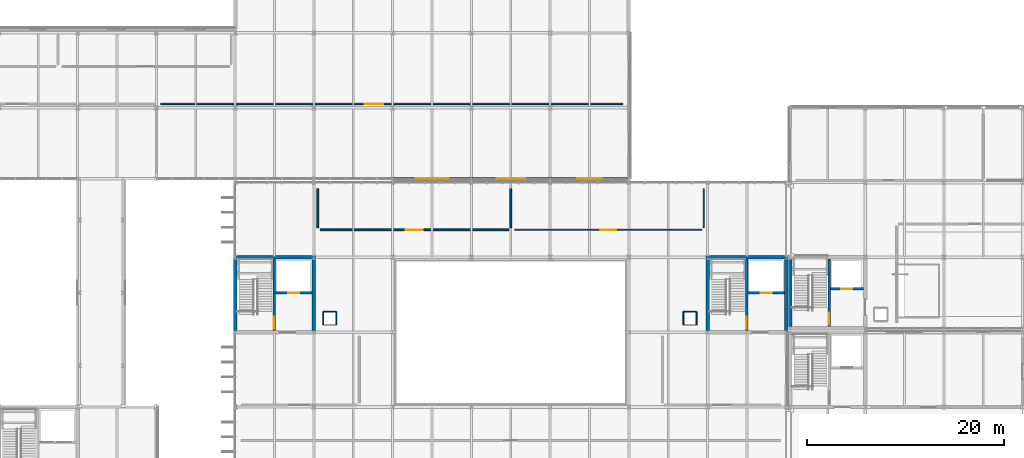
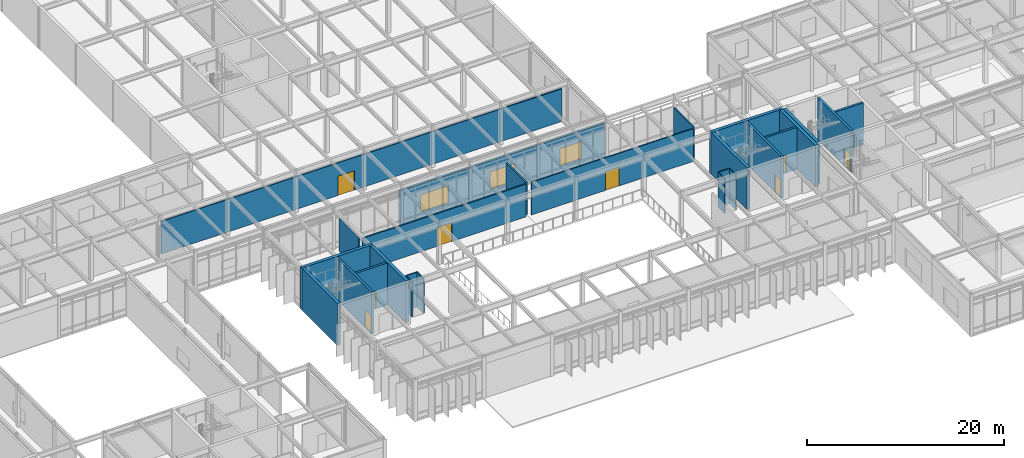
# One storey, part 74 of 94: 28 walls, 9 doors, 3 windows, 12 openings.
"""IFC4 building model written with IfcOpenShell, lengths in metres."""

from ifc_helpers import new_model, si_unit, direction, frame, frame_2d, origin, place, context, subcontext, project, spatial, rectangle, extrude, material, layer, layer_set, type_object, element, fill, save


model = new_model("IFC4")

# Units and contexts
model_context = context("Model", 3, precision=1e-05, world=origin(), true_north=direction((0.0, 1.0)))
body_context = subcontext(model_context, "Body", "Model", "MODEL_VIEW")
ifc_project = project(units=[si_unit("LENGTHUNIT", "METRE"), si_unit("AREAUNIT", "SQUARE_METRE"), si_unit("VOLUMEUNIT", "CUBIC_METRE"), si_unit("PLANEANGLEUNIT", "RADIAN"), si_unit("MASSUNIT", "GRAM", prefix="KILO")], contexts=[model_context])

# Site, building, storey
site_placement = place(None, origin())
site = spatial("IfcSite", under=ifc_project, at=site_placement, CompositionType="ELEMENT")
building_placement = place(site_placement, origin())
building = spatial("IfcBuilding", under=site, at=building_placement, Name="Zulena Civic Courthouse", CompositionType="ELEMENT")
storey_placement = place(building_placement, frame((0.0, 0.0, 5.39990234375)))
storey = spatial("IfcBuildingStorey", under=building, at=storey_placement, Name="L01", CompositionType="ELEMENT", Elevation=5.39990234375)

# Wall, opening, door
ifc_material_1 = material(Name="Concrete C40/50", Category="concrete")
ifc_layer_1 = layer(ifc_material_1, 0.25)
ifc_layer_set_1 = layer_set([ifc_layer_1], Name="Concrete C40/50")
wall_type_1 = type_object("IfcWallType", Name="CoreShearWall_RC250", PredefinedType="SHEAR", material=ifc_layer_set_1)
wall_1_placement = place(storey_placement, frame((128.35009765625, 30.97509765625, 0.0), z_axis=(0.0, 0.0, 1.0), x_axis=(0.0, 1.0, 0.0)))
wall_1 = element("IfcWall", 1, at=wall_1_placement, inside=storey, type_object=wall_type_1, Name="cwall:K3A:L01:DIV", PredefinedType="SHEAR", context=body_context, shape_type="SweptSolid", body=[
    extrude(rectangle(XDim=6.849853515625, YDim=0.25, at=frame_2d((3.4248046875, 0.0))), origin(), (0.0, 0.0, 1.0), 5.190185546875),
])
opening_1_placement = place(wall_1_placement, frame((0.179931640625, 0.0, 0.0)))
opening_1 = element("IfcOpeningElement", 2, at=opening_1_placement, cuts=wall_1, Name="Opening ID07", PredefinedType="OPENING", context=body_context, shape_type="SweptSolid", body=[
    extrude(rectangle(XDim=1.199951171875, YDim=2.199951171875, at=frame_2d((0.60009765625, 1.10009765625))), frame((0.0, 0.135009765625, 0.0), z_axis=(0.0, -1.0, 0.0), x_axis=(1.0, 0.0, 0.0)), (0.0, 0.0, 1.0), 0.27001953125),
])
ifc_material_2 = material(Name="Fire-rated galvanised steel ASTM A653 Grade 50", Category="steel")
door_type_1 = type_object("IfcDoorType", Name="IntDoor_Stair_1200x2200", OperationType="NOTDEFINED", PredefinedType="DOOR", material=ifc_material_2)
door_1_placement = place(opening_1_placement, origin())
door_1 = element("IfcDoor", 3, at=door_1_placement, inside=storey, type_object=door_type_1, Name="door:stair:K3A:L01", OperationType="SINGLE_SWING_RIGHT", OverallHeight=2.199951171875, OverallWidth=1.199951171875, PredefinedType="DOOR", context=body_context, shape_type="SweptSolid", body=[
    extrude(rectangle(XDim=1.199951171875, YDim=2.199951171875, at=frame_2d((0.60009765625, 1.10009765625))), frame((0.0, 0.02490234375, 0.0), z_axis=(0.0, -1.0, 0.0), x_axis=(1.0, 0.0, 0.0)), (0.0, 0.0, 1.0), 0.050048828125),
])
fill(opening_1, door_1)

wall_2_placement = place(storey_placement, frame((128.47509765625, 34.800048828125, 0.0), z_axis=(0.0, 0.0, 1.0), x_axis=(1.0, 0.0, 0.0)))
wall_2 = element("IfcWall", 4, at=wall_2_placement, inside=storey, type_object=wall_type_1, Name="cwall:K3A:L01:SHF", PredefinedType="SHEAR", context=body_context, shape_type="SweptSolid", body=[
    extrude(rectangle(XDim=3.349853515625, YDim=0.25, at=frame_2d((1.6748046875, 0.0))), origin(), (0.0, 0.0, 1.0), 5.190185546875),
])
opening_2_placement = place(wall_2_placement, frame((1.1201171875, 0.0, 0.0)))
opening_2 = element("IfcOpeningElement", 5, at=opening_2_placement, cuts=wall_2, Name="Opening LD02", PredefinedType="OPENING", context=body_context, shape_type="SweptSolid", body=[
    extrude(rectangle(XDim=1.10009765625, YDim=2.199951171875, at=frame_2d((0.550048828125, 1.10009765625))), frame((0.0, 0.135009765625, 0.0), z_axis=(0.0, -1.0, 0.0), x_axis=(1.0, 0.0, 0.0)), (0.0, 0.0, 1.0), 0.27001953125),
])
door_type_2 = type_object("IfcDoorType", Name="LiftLandingDoor_Pass_1100x2200", OperationType="SLIDING_TO_LEFT", PredefinedType="DOOR", material=ifc_material_2)
door_2_placement = place(opening_2_placement, origin())
door_2 = element("IfcDoor", 6, at=door_2_placement, inside=storey, type_object=door_type_2, Name="door:ld:PL-02:L01", OperationType="SLIDING_TO_LEFT", OverallHeight=2.199951171875, OverallWidth=1.10009765625, PredefinedType="DOOR", context=body_context, shape_type="SweptSolid", body=[
    extrude(rectangle(XDim=1.10009765625, YDim=2.199951171875, at=frame_2d((0.550048828125, 1.10009765625))), frame((0.0, 0.02490234375, 0.0), z_axis=(0.0, -1.0, 0.0), x_axis=(1.0, 0.0, 0.0)), (0.0, 0.0, 1.0), 0.050048828125),
])
fill(opening_2, door_2)

wall_3_placement = place(storey_placement, frame((71.949951171875, 30.574951171875, 0.0), z_axis=(0.0, 0.0, 1.0), x_axis=(0.0, 1.0, 0.0)))
wall_3 = element("IfcWall", 7, at=wall_3_placement, inside=storey, type_object=wall_type_1, Name="cwall:K4A:L01:DIV", PredefinedType="SHEAR", context=body_context, shape_type="SweptSolid", body=[
    extrude(rectangle(XDim=7.25, YDim=0.25, at=frame_2d((3.625, 0.0))), origin(), (0.0, 0.0, 1.0), 5.190185546875),
])
opening_3_placement = place(wall_3_placement, frame((0.179931640625, 0.0, 0.0)))
opening_3 = element("IfcOpeningElement", 8, at=opening_3_placement, cuts=wall_3, Name="Opening ID07", PredefinedType="OPENING", context=body_context, shape_type="SweptSolid", body=[
    extrude(rectangle(XDim=1.199951171875, YDim=2.199951171875, at=frame_2d((0.60009765625, 1.10009765625))), frame((0.0, 0.135009765625, 0.0), z_axis=(0.0, -1.0, 0.0), x_axis=(1.0, 0.0, 0.0)), (0.0, 0.0, 1.0), 0.27001953125),
])
door_3_placement = place(opening_3_placement, origin())
door_3 = element("IfcDoor", 9, at=door_3_placement, inside=storey, type_object=door_type_1, Name="door:stair:K4A:L01", OperationType="SINGLE_SWING_RIGHT", OverallHeight=2.199951171875, OverallWidth=1.199951171875, PredefinedType="DOOR", context=body_context, shape_type="SweptSolid", body=[
    extrude(rectangle(XDim=1.199951171875, YDim=2.199951171875, at=frame_2d((0.60009765625, 1.10009765625))), frame((0.0, 0.02490234375, 0.0), z_axis=(0.0, -1.0, 0.0), x_axis=(1.0, 0.0, 0.0)), (0.0, 0.0, 1.0), 0.050048828125),
])
fill(opening_3, door_3)

wall_4_placement = place(storey_placement, frame((72.074951171875, 34.39990234375, 0.0), z_axis=(0.0, 0.0, 1.0), x_axis=(1.0, 0.0, 0.0)))
wall_4 = element("IfcWall", 10, at=wall_4_placement, inside=storey, type_object=wall_type_1, Name="cwall:K4A:L01:SHF", PredefinedType="SHEAR", context=body_context, shape_type="SweptSolid", body=[
    extrude(rectangle(XDim=3.75, YDim=0.25, at=frame_2d((1.875, 0.0))), origin(), (0.0, 0.0, 1.0), 5.190185546875),
])
opening_4_placement = place(wall_4_placement, frame((1.320068359375, 0.0, 0.0)))
opening_4 = element("IfcOpeningElement", 11, at=opening_4_placement, cuts=wall_4, Name="Opening LD02", PredefinedType="OPENING", context=body_context, shape_type="SweptSolid", body=[
    extrude(rectangle(XDim=1.10009765625, YDim=2.199951171875, at=frame_2d((0.550048828125, 1.10009765625))), frame((0.0, 0.135009765625, 0.0), z_axis=(0.0, -1.0, 0.0), x_axis=(1.0, 0.0, 0.0)), (0.0, 0.0, 1.0), 0.27001953125),
])
door_4_placement = place(opening_4_placement, origin())
door_4 = element("IfcDoor", 12, at=door_4_placement, inside=storey, type_object=door_type_2, Name="door:ld:PL-03:L01", OperationType="SLIDING_TO_LEFT", OverallHeight=2.199951171875, OverallWidth=1.10009765625, PredefinedType="DOOR", context=body_context, shape_type="SweptSolid", body=[
    extrude(rectangle(XDim=1.10009765625, YDim=2.199951171875, at=frame_2d((0.550048828125, 1.10009765625))), frame((0.0, 0.02490234375, 0.0), z_axis=(0.0, -1.0, 0.0), x_axis=(1.0, 0.0, 0.0)), (0.0, 0.0, 1.0), 0.050048828125),
])
fill(opening_4, door_4)

wall_5_placement = place(storey_placement, frame((119.949951171875, 30.574951171875, 0.0), z_axis=(0.0, 0.0, 1.0), x_axis=(0.0, 1.0, 0.0)))
wall_5 = element("IfcWall", 13, at=wall_5_placement, inside=storey, type_object=wall_type_1, Name="cwall:K4B:L01:DIV", PredefinedType="SHEAR", context=body_context, shape_type="SweptSolid", body=[
    extrude(rectangle(XDim=7.25, YDim=0.25, at=frame_2d((3.625, 0.0))), origin(), (0.0, 0.0, 1.0), 5.190185546875),
])
opening_5_placement = place(wall_5_placement, frame((0.179931640625, 0.0, 0.0)))
opening_5 = element("IfcOpeningElement", 14, at=opening_5_placement, cuts=wall_5, Name="Opening ID07", PredefinedType="OPENING", context=body_context, shape_type="SweptSolid", body=[
    extrude(rectangle(XDim=1.199951171875, YDim=2.199951171875, at=frame_2d((0.60009765625, 1.10009765625))), frame((0.0, 0.135009765625, 0.0), z_axis=(0.0, -1.0, 0.0), x_axis=(1.0, 0.0, 0.0)), (0.0, 0.0, 1.0), 0.27001953125),
])
door_5_placement = place(opening_5_placement, origin())
door_5 = element("IfcDoor", 15, at=door_5_placement, inside=storey, type_object=door_type_1, Name="door:stair:K4B:L01", OperationType="SINGLE_SWING_LEFT", OverallHeight=2.199951171875, OverallWidth=1.199951171875, PredefinedType="DOOR", context=body_context, shape_type="SweptSolid", body=[
    extrude(rectangle(XDim=1.199951171875, YDim=2.199951171875, at=frame_2d((0.60009765625, 1.10009765625))), frame((0.0, 0.02490234375, 0.0), z_axis=(0.0, -1.0, 0.0), x_axis=(1.0, 0.0, 0.0)), (0.0, 0.0, 1.0), 0.050048828125),
])
fill(opening_5, door_5)

wall_6_placement = place(storey_placement, frame((120.074951171875, 34.39990234375, 0.0), z_axis=(0.0, 0.0, 1.0), x_axis=(1.0, 0.0, 0.0)))
wall_6 = element("IfcWall", 16, at=wall_6_placement, inside=storey, type_object=wall_type_1, Name="cwall:K4B:L01:SHF", PredefinedType="SHEAR", context=body_context, shape_type="SweptSolid", body=[
    extrude(rectangle(XDim=3.75, YDim=0.25, at=frame_2d((1.875, 0.0))), origin(), (0.0, 0.0, 1.0), 5.190185546875),
])
opening_6_placement = place(wall_6_placement, frame((1.320068359375, 0.0, 0.0)))
opening_6 = element("IfcOpeningElement", 17, at=opening_6_placement, cuts=wall_6, Name="Opening LD02", PredefinedType="OPENING", context=body_context, shape_type="SweptSolid", body=[
    extrude(rectangle(XDim=1.10009765625, YDim=2.199951171875, at=frame_2d((0.550048828125, 1.10009765625))), frame((0.0, 0.135009765625, 0.0), z_axis=(0.0, -1.0, 0.0), x_axis=(1.0, 0.0, 0.0)), (0.0, 0.0, 1.0), 0.27001953125),
])
door_6_placement = place(opening_6_placement, origin())
door_6 = element("IfcDoor", 18, at=door_6_placement, inside=storey, type_object=door_type_2, Name="door:ld:PL-04:L01", OperationType="SLIDING_TO_LEFT", OverallHeight=2.199951171875, OverallWidth=1.10009765625, PredefinedType="DOOR", context=body_context, shape_type="SweptSolid", body=[
    extrude(rectangle(XDim=1.10009765625, YDim=2.199951171875, at=frame_2d((0.550048828125, 1.10009765625))), frame((0.0, 0.02490234375, 0.0), z_axis=(0.0, -1.0, 0.0), x_axis=(1.0, 0.0, 0.0)), (0.0, 0.0, 1.0), 0.050048828125),
])
fill(opening_6, door_6)

# Walls
ifc_layer_2 = layer(ifc_material_1, 0.35009765625)
ifc_layer_set_2 = layer_set([ifc_layer_2], Name="Concrete C40/50")
wall_type_2 = type_object("IfcWallType", Name="CoreShearWall_RC350", PredefinedType="SHEAR", material=ifc_layer_set_2)
wall_7_placement = place(storey_placement, frame((124.39990234375, 30.97509765625, 0.0), z_axis=(0.0, 0.0, 1.0), x_axis=(0.0, 1.0, 0.0)))
element("IfcWall", 19, at=wall_7_placement, inside=storey, type_object=wall_type_2, Name="cwall:K3A:L01:W", PredefinedType="SHEAR", context=body_context, shape_type="SweptSolid", body=[
    extrude(rectangle(XDim=6.849853515625, YDim=0.35009765625, at=frame_2d((3.4248046875, 0.0))), origin(), (0.0, 0.0, 1.0), 5.190185546875),
])
wall_8_placement = place(storey_placement, frame((67.824951171875, 38.0, 0.0), z_axis=(0.0, 0.0, 1.0), x_axis=(1.0, 0.0, 0.0)))
element("IfcWall", 20, at=wall_8_placement, inside=storey, type_object=wall_type_2, Name="cwall:K4A:L01:N", PredefinedType="SHEAR", context=body_context, shape_type="SweptSolid", body=[
    extrude(rectangle(XDim=8.35009765625, YDim=0.35009765625, at=frame_2d((4.175048828125, 0.0))), origin(), (0.0, 0.0, 1.0), 5.190185546875),
])
for number, where, z_axis, x_axis, name in (
    (21, (68.0, 30.574951171875, 0.0), (0.0, 0.0, 1.0), (0.0, 1.0, 0.0), "cwall:K4A:L01:W"),
    (22, (76.0, 30.574951171875, 0.0), (0.0, 0.0, 1.0), (0.0, 1.0, 0.0), "cwall:K4A:L01:E"),
):
    element("IfcWall", number, at=place(storey_placement, frame(where, z_axis=z_axis, x_axis=x_axis)), inside=storey, type_object=wall_type_2, Name=name, PredefinedType="SHEAR", context=body_context, shape_type="SweptSolid", body=[
        extrude(rectangle(XDim=7.25, YDim=0.35009765625, at=frame_2d((3.625, 0.0))), origin(), (0.0, 0.0, 1.0), 5.190185546875),
    ])
wall_9_placement = place(storey_placement, frame((115.824951171875, 38.0, 0.0), z_axis=(0.0, 0.0, 1.0), x_axis=(1.0, 0.0, 0.0)))
element("IfcWall", 23, at=wall_9_placement, inside=storey, type_object=wall_type_2, Name="cwall:K4B:L01:N", PredefinedType="SHEAR", context=body_context, shape_type="SweptSolid", body=[
    extrude(rectangle(XDim=8.35009765625, YDim=0.35009765625, at=frame_2d((4.175048828125, 0.0))), origin(), (0.0, 0.0, 1.0), 5.190185546875),
])
for number, where, z_axis, x_axis, name in (
    (24, (116.0, 30.574951171875, 0.0), (0.0, 0.0, 1.0), (0.0, 1.0, 0.0), "cwall:K4B:L01:W"),
    (25, (124.0, 30.574951171875, 0.0), (0.0, 0.0, 1.0), (0.0, 1.0, 0.0), "cwall:K4B:L01:E"),
):
    element("IfcWall", number, at=place(storey_placement, frame(where, z_axis=z_axis, x_axis=x_axis)), inside=storey, type_object=wall_type_2, Name=name, PredefinedType="SHEAR", context=body_context, shape_type="SweptSolid", body=[
        extrude(rectangle(XDim=7.25, YDim=0.35009765625, at=frame_2d((3.625, 0.0))), origin(), (0.0, 0.0, 1.0), 5.190185546875),
    ])

# Wall, opening, window
ifc_material_3 = material(Name="Buff architectural precast concrete C40/50", Category="concrete")
ifc_layer_3 = layer(ifc_material_3, 0.264892578125)
ifc_layer_set_3 = layer_set([ifc_layer_3], Name="Buff architectural precast concrete C40/50")
wall_type_3 = type_object("IfcWallType", Name="ExtWall_BuffPrecast_265", PredefinedType="STANDARD", material=ifc_layer_set_3)
wall_10_placement = place(storey_placement, frame((108.02001953125, 46.0, 0.0), z_axis=(0.0, 0.0, 1.0), x_axis=(-1.0, 0.0, 0.0)))
wall_10 = element("IfcWall", 26, at=wall_10_placement, inside=storey, type_object=wall_type_3, Name="ewall:V5:L01:5:0", PredefinedType="STANDARD", context=body_context, shape_type="SweptSolid", body=[
    extrude(rectangle(XDim=8.0400390625, YDim=0.264892578125, at=frame_2d((4.02001953125, 0.0))), origin(), (0.0, 0.0, 1.0), 4.25),
])
opening_7_placement = place(wall_10_placement, frame((2.77001953125, 0.0, 0.75)))
opening_7 = element("IfcOpeningElement", 27, at=opening_7_placement, cuts=wall_10, Name="Opening WN12", PredefinedType="OPENING", context=body_context, shape_type="SweptSolid", body=[
    extrude(rectangle(XDim=2.5, YDim=2.14990234375, at=frame_2d((1.25, 1.074951171875))), frame((0.0, 0.142333984375, 0.0), z_axis=(0.0, -1.0, 0.0), x_axis=(1.0, 0.0, 0.0)), (0.0, 0.0, 1.0), 0.284912109375),
])
ifc_material_4 = material(Name="Double-silver low-E laminated solar-control glass", Category="glass")
window_type_1 = type_object("IfcWindowType", Name="Win_2500x2150", PartitioningType="DOUBLE_PANEL_VERTICAL", PredefinedType="WINDOW", material=ifc_material_4)
window_1_placement = place(opening_7_placement, origin())
window_1 = element("IfcWindow", 28, at=window_1_placement, inside=storey, type_object=window_type_1, Name="win:V5:L01:5:0", OverallHeight=2.14990234375, OverallWidth=2.5, PartitioningType="SINGLE_PANEL", PredefinedType="WINDOW", context=body_context, shape_type="SweptSolid", body=[
    extrude(rectangle(XDim=2.5, YDim=2.14990234375, at=frame_2d((1.25, 1.074951171875))), frame((0.0, 0.030029296875, 0.0), z_axis=(0.0, -1.0, 0.0), x_axis=(1.0, 0.0, 0.0)), (0.0, 0.0, 1.0), 0.06005859375),
])
fill(opening_7, window_1)

wall_11_placement = place(storey_placement, frame((100.02001953125, 46.0, 0.0), z_axis=(0.0, 0.0, 1.0), x_axis=(-1.0, 0.0, 0.0)))
wall_11 = element("IfcWall", 29, at=wall_11_placement, inside=storey, type_object=wall_type_3, Name="ewall:V5:L01:5:1", PredefinedType="STANDARD", context=body_context, shape_type="SweptSolid", body=[
    extrude(rectangle(XDim=8.0400390625, YDim=0.264892578125, at=frame_2d((4.02001953125, 0.0))), origin(), (0.0, 0.0, 1.0), 4.25),
])
opening_8_placement = place(wall_11_placement, frame((2.570068359375, 0.0, 0.75)))
opening_8 = element("IfcOpeningElement", 30, at=opening_8_placement, cuts=wall_11, Name="Opening WN13", PredefinedType="OPENING", context=body_context, shape_type="SweptSolid", body=[
    extrude(rectangle(XDim=2.89990234375, YDim=2.14990234375, at=frame_2d((1.449951171875, 1.074951171875))), frame((0.0, 0.142333984375, 0.0), z_axis=(0.0, -1.0, 0.0), x_axis=(1.0, 0.0, 0.0)), (0.0, 0.0, 1.0), 0.284912109375),
])
window_type_2 = type_object("IfcWindowType", Name="Win_2900x2150", PartitioningType="DOUBLE_PANEL_VERTICAL", PredefinedType="WINDOW", material=ifc_material_4)
window_2_placement = place(opening_8_placement, origin())
window_2 = element("IfcWindow", 31, at=window_2_placement, inside=storey, type_object=window_type_2, Name="win:V5:L01:5:1", OverallHeight=2.14990234375, OverallWidth=2.89990234375, PartitioningType="SINGLE_PANEL", PredefinedType="WINDOW", context=body_context, shape_type="SweptSolid", body=[
    extrude(rectangle(XDim=2.89990234375, YDim=2.14990234375, at=frame_2d((1.449951171875, 1.074951171875))), frame((0.0, 0.030029296875, 0.0), z_axis=(0.0, -1.0, 0.0), x_axis=(1.0, 0.0, 0.0)), (0.0, 0.0, 1.0), 0.06005859375),
])
fill(opening_8, window_2)

wall_12_placement = place(storey_placement, frame((92.02001953125, 46.0, 0.0), z_axis=(0.0, 0.0, 1.0), x_axis=(-1.0, 0.0, 0.0)))
wall_12 = element("IfcWall", 32, at=wall_12_placement, inside=storey, type_object=wall_type_3, Name="ewall:V5:L01:5:2", PredefinedType="STANDARD", context=body_context, shape_type="SweptSolid", body=[
    extrude(rectangle(XDim=8.0400390625, YDim=0.264892578125, at=frame_2d((4.02001953125, 0.0))), origin(), (0.0, 0.0, 1.0), 4.25),
])
opening_9_placement = place(wall_12_placement, frame((2.3701171875, 0.0, 0.75)))
opening_9 = element("IfcOpeningElement", 33, at=opening_9_placement, cuts=wall_12, Name="Opening WN14", PredefinedType="OPENING", context=body_context, shape_type="SweptSolid", body=[
    extrude(rectangle(XDim=3.300048828125, YDim=2.14990234375, at=frame_2d((1.64990234375, 1.074951171875))), frame((0.0, 0.142333984375, 0.0), z_axis=(0.0, -1.0, 0.0), x_axis=(1.0, 0.0, 0.0)), (0.0, 0.0, 1.0), 0.284912109375),
])
window_type_3 = type_object("IfcWindowType", Name="Win_3300x2150", PartitioningType="DOUBLE_PANEL_VERTICAL", PredefinedType="WINDOW", material=ifc_material_4)
window_3_placement = place(opening_9_placement, origin())
window_3 = element("IfcWindow", 34, at=window_3_placement, inside=storey, type_object=window_type_3, Name="win:V5:L01:5:2", OverallHeight=2.14990234375, OverallWidth=3.300048828125, PartitioningType="SINGLE_PANEL", PredefinedType="WINDOW", context=body_context, shape_type="SweptSolid", body=[
    extrude(rectangle(XDim=3.300048828125, YDim=2.14990234375, at=frame_2d((1.64990234375, 1.074951171875))), frame((0.0, 0.030029296875, 0.0), z_axis=(0.0, -1.0, 0.0), x_axis=(1.0, 0.0, 0.0)), (0.0, 0.0, 1.0), 0.06005859375),
])
fill(opening_9, window_3)

# Wall, opening, door
ifc_material_5 = material(Name="Acoustic fire-rated gypsum board assembly", Category="masonry")
ifc_layer_4 = layer(ifc_material_5, 0.14599609375)
ifc_layer_set_4 = layer_set([ifc_layer_4], Name="Acoustic fire-rated gypsum board assembly")
wall_type_4 = type_object("IfcWallType", Name="PartWall_Chambers_146", PredefinedType="PARTITIONING", material=ifc_layer_set_4)
wall_13_placement = place(storey_placement, frame((60.419921875, 53.60009765625, 0.0), z_axis=(0.0, 0.0, 1.0), x_axis=(1.0, 0.0, 0.0)))
wall_13 = element("IfcWall", 35, at=wall_13_placement, inside=storey, type_object=wall_type_4, Name="pwall:L01:382:0", PredefinedType="PARTITIONING", context=body_context, shape_type="SweptSolid", body=[
    extrude(rectangle(XDim=46.9599609375, YDim=0.14599609375, at=frame_2d((23.47998046875, 0.0))), origin(), (0.0, 0.0, 1.0), 4.050048828125),
])
opening_10_placement = place(wall_13_placement, frame((20.72998046875, 0.0, 0.0)))
opening_10 = element("IfcOpeningElement", 36, at=opening_10_placement, cuts=wall_13, Name="Opening ID02", PredefinedType="OPENING", context=body_context, shape_type="SweptSolid", body=[
    extrude(rectangle(XDim=1.89990234375, YDim=2.39990234375, at=frame_2d((0.949951171875, 1.199951171875))), frame((0.0, 0.0830078125, 0.0), z_axis=(0.0, -1.0, 0.0), x_axis=(1.0, 0.0, 0.0)), (0.0, 0.0, 1.0), 0.166015625),
])
ifc_material_6 = material(Name="Solid-core acoustic hardwood timber", Category="wood")
door_type_3 = type_object("IfcDoorType", Name="IntDoor_CourtPublic_1900x2400", OperationType="DOUBLE_DOOR_SINGLE_SWING", PredefinedType="DOOR", material=ifc_material_6)
door_7_placement = place(opening_10_placement, origin())
door_7 = element("IfcDoor", 37, at=door_7_placement, inside=storey, type_object=door_type_3, Name="door:rm:L01:382", OperationType="DOUBLE_DOOR_SINGLE_SWING", OverallHeight=2.39990234375, OverallWidth=1.89990234375, PredefinedType="DOOR", context=body_context, shape_type="SweptSolid", body=[
    extrude(rectangle(XDim=1.89990234375, YDim=2.39990234375, at=frame_2d((0.949951171875, 1.199951171875))), frame((0.0, 0.02490234375, 0.0), z_axis=(0.0, -1.0, 0.0), x_axis=(1.0, 0.0, 0.0)), (0.0, 0.0, 1.0), 0.050048828125),
])
fill(opening_10, door_7)

ifc_layer_5 = layer(ifc_material_5, 0.177978515625)
ifc_layer_set_5 = layer_set([ifc_layer_5], Name="Acoustic fire-rated gypsum board assembly")
wall_type_5 = type_object("IfcWallType", Name="PartWall_Corridor_178", PredefinedType="PARTITIONING", material=ifc_layer_set_5)
wall_14_placement = place(storey_placement, frame((76.6201171875, 40.800048828125, 0.0), z_axis=(0.0, 0.0, 1.0), x_axis=(1.0, 0.0, 0.0)))
wall_14 = element("IfcWall", 38, at=wall_14_placement, inside=storey, type_object=wall_type_5, Name="pwall:L01:240:0", PredefinedType="PARTITIONING", context=body_context, shape_type="SweptSolid", body=[
    extrude(rectangle(XDim=19.159912109375, YDim=0.177978515625, at=frame_2d((9.580078125, 0.0))), origin(), (0.0, 0.0, 1.0), 4.050048828125),
])
opening_11_placement = place(wall_14_placement, frame((8.705078125, 0.0, 0.0)))
opening_11 = element("IfcOpeningElement", 39, at=opening_11_placement, cuts=wall_14, Name="Opening ID03", PredefinedType="OPENING", context=body_context, shape_type="SweptSolid", body=[
    extrude(rectangle(XDim=1.75, YDim=2.35009765625, at=frame_2d((0.875, 1.175048828125))), frame((0.0, 0.098876953125, 0.0), z_axis=(0.0, -1.0, 0.0), x_axis=(1.0, 0.0, 0.0)), (0.0, 0.0, 1.0), 0.197998046875),
])
door_type_4 = type_object("IfcDoorType", Name="IntDoor_CourtPublic_1750x2350", OperationType="DOUBLE_DOOR_SINGLE_SWING", PredefinedType="DOOR", material=ifc_material_6)
door_8_placement = place(opening_11_placement, origin())
door_8 = element("IfcDoor", 40, at=door_8_placement, inside=storey, type_object=door_type_4, Name="door:rm:L01:240", OperationType="DOUBLE_DOOR_SINGLE_SWING", OverallHeight=2.35009765625, OverallWidth=1.75, PredefinedType="DOOR", context=body_context, shape_type="SweptSolid", body=[
    extrude(rectangle(XDim=1.75, YDim=2.35009765625, at=frame_2d((0.875, 1.175048828125))), frame((0.0, 0.02490234375, 0.0), z_axis=(0.0, -1.0, 0.0), x_axis=(1.0, 0.0, 0.0)), (0.0, 0.0, 1.0), 0.050048828125),
])
fill(opening_11, door_8)

# Walls
for number, where, z_axis, x_axis, name in (
    (41, (96.0, 41.02001953125, 0.0), (0.0, 0.0, 1.0), (0.0, 1.0, 0.0), "pwall:L01:240:1"),
    (42, (76.39990234375, 41.02001953125, 0.0), (0.0, 0.0, 1.0), (0.0, 1.0, 0.0), "pwall:L01:240:2"),
):
    element("IfcWall", number, at=place(storey_placement, frame(where, z_axis=z_axis, x_axis=x_axis)), inside=storey, type_object=wall_type_5, Name=name, PredefinedType="PARTITIONING", context=body_context, shape_type="SweptSolid", body=[
        extrude(rectangle(XDim=3.9599609375, YDim=0.177978515625, at=frame_2d((1.97998046875, 0.0))), origin(), (0.0, 0.0, 1.0), 4.050048828125),
    ])
ifc_material_7 = material(Name="Insulated blockwork masonry ASTM C90", Category="masonry")
ifc_layer_6 = layer(ifc_material_7, 0.114990234375)
ifc_layer_set_6 = layer_set([ifc_layer_6], Name="Insulated blockwork masonry ASTM C90")
wall_type_6 = type_object("IfcWallType", Name="PartWall_Riser_115", PredefinedType="PARTITIONING", material=ifc_layer_set_6)
for number, where, z_axis, x_axis, name in (
    (43, (78.260009765625, 31.139892578125, 0.0), (0.0, 0.0, 1.0), (0.0, 1.0, 0.0), "riser:RS-V4W:L01:1"),
    (44, (78.260009765625, 32.4599609375, 0.0), (0.0, 0.0, 1.0), (-1.0, 0.0, 0.0), "riser:RS-V4W:L01:2"),
    (45, (76.93994140625, 32.4599609375, 0.0), (0.0, 0.0, 1.0), (0.0, -1.0, 0.0), "riser:RS-V4W:L01:3"),
    (46, (114.860107421875, 31.139892578125, 0.0), (0.0, 0.0, 1.0), (0.0, 1.0, 0.0), "riser:RS-V4E:L01:1"),
    (47, (114.860107421875, 32.4599609375, 0.0), (0.0, 0.0, 1.0), (-1.0, 0.0, 0.0), "riser:RS-V4E:L01:2"),
    (48, (113.5400390625, 32.4599609375, 0.0), (0.0, 0.0, 1.0), (0.0, -1.0, 0.0), "riser:RS-V4E:L01:3"),
):
    element("IfcWall", number, at=place(storey_placement, frame(where, z_axis=z_axis, x_axis=x_axis)), inside=storey, type_object=wall_type_6, Name=name, PredefinedType="PARTITIONING", context=body_context, shape_type="SweptSolid", body=[
        extrude(rectangle(XDim=1.320068359375, YDim=0.114990234375, at=frame_2d((0.66015625, 0.0))), origin(), (0.0, 0.0, 1.0), 4.35009765625),
    ])

# Wall, opening, door
ifc_layer_7 = layer(ifc_material_7, 0.1279296875)
ifc_layer_set_7 = layer_set([ifc_layer_7], Name="Insulated blockwork masonry ASTM C90")
wall_type_7 = type_object("IfcWallType", Name="PartWall_WetRoom_128", PredefinedType="PARTITIONING", material=ifc_layer_set_7)
wall_15_placement = place(storey_placement, frame((96.419921875, 40.800048828125, 0.0), z_axis=(0.0, 0.0, 1.0), x_axis=(1.0, 0.0, 0.0)))
wall_15 = element("IfcWall", 49, at=wall_15_placement, inside=storey, type_object=wall_type_7, Name="pwall:L01:241:0", PredefinedType="PARTITIONING", context=body_context, shape_type="SweptSolid", body=[
    extrude(rectangle(XDim=18.9599609375, YDim=0.1279296875, at=frame_2d((9.47998046875, 0.0))), origin(), (0.0, 0.0, 1.0), 4.050048828125),
])
opening_12_placement = place(wall_15_placement, frame((8.679931640625, 0.0, 0.0)))
opening_12 = element("IfcOpeningElement", 50, at=opening_12_placement, cuts=wall_15, Name="Opening ID04", PredefinedType="OPENING", context=body_context, shape_type="SweptSolid", body=[
    extrude(rectangle(XDim=1.60009765625, YDim=2.35009765625, at=frame_2d((0.800048828125, 1.175048828125))), frame((0.0, 0.073974609375, 0.0), z_axis=(0.0, -1.0, 0.0), x_axis=(1.0, 0.0, 0.0)), (0.0, 0.0, 1.0), 0.14794921875),
])
door_type_5 = type_object("IfcDoorType", Name="IntDoor_CourtPublic_1600x2350", OperationType="DOUBLE_DOOR_SINGLE_SWING", PredefinedType="DOOR", material=ifc_material_6)
door_9_placement = place(opening_12_placement, origin())
door_9 = element("IfcDoor", 51, at=door_9_placement, inside=storey, type_object=door_type_5, Name="door:rm:L01:241", OperationType="DOUBLE_DOOR_SINGLE_SWING", OverallHeight=2.35009765625, OverallWidth=1.60009765625, PredefinedType="DOOR", context=body_context, shape_type="SweptSolid", body=[
    extrude(rectangle(XDim=1.60009765625, YDim=2.35009765625, at=frame_2d((0.800048828125, 1.175048828125))), frame((0.0, 0.02490234375, 0.0), z_axis=(0.0, -1.0, 0.0), x_axis=(1.0, 0.0, 0.0)), (0.0, 0.0, 1.0), 0.050048828125),
])
fill(opening_12, door_9)

# Wall
wall_16_placement = place(storey_placement, frame((115.60009765625, 41.02001953125, 0.0), z_axis=(0.0, 0.0, 1.0), x_axis=(0.0, 1.0, 0.0)))
element("IfcWall", 52, at=wall_16_placement, inside=storey, type_object=wall_type_7, Name="pwall:L01:241:1", PredefinedType="PARTITIONING", context=body_context, shape_type="SweptSolid", body=[
    extrude(rectangle(XDim=3.9599609375, YDim=0.1279296875, at=frame_2d((1.97998046875, 0.0))), origin(), (0.0, 0.0, 1.0), 4.050048828125),
])

save(model, "model.ifc")
